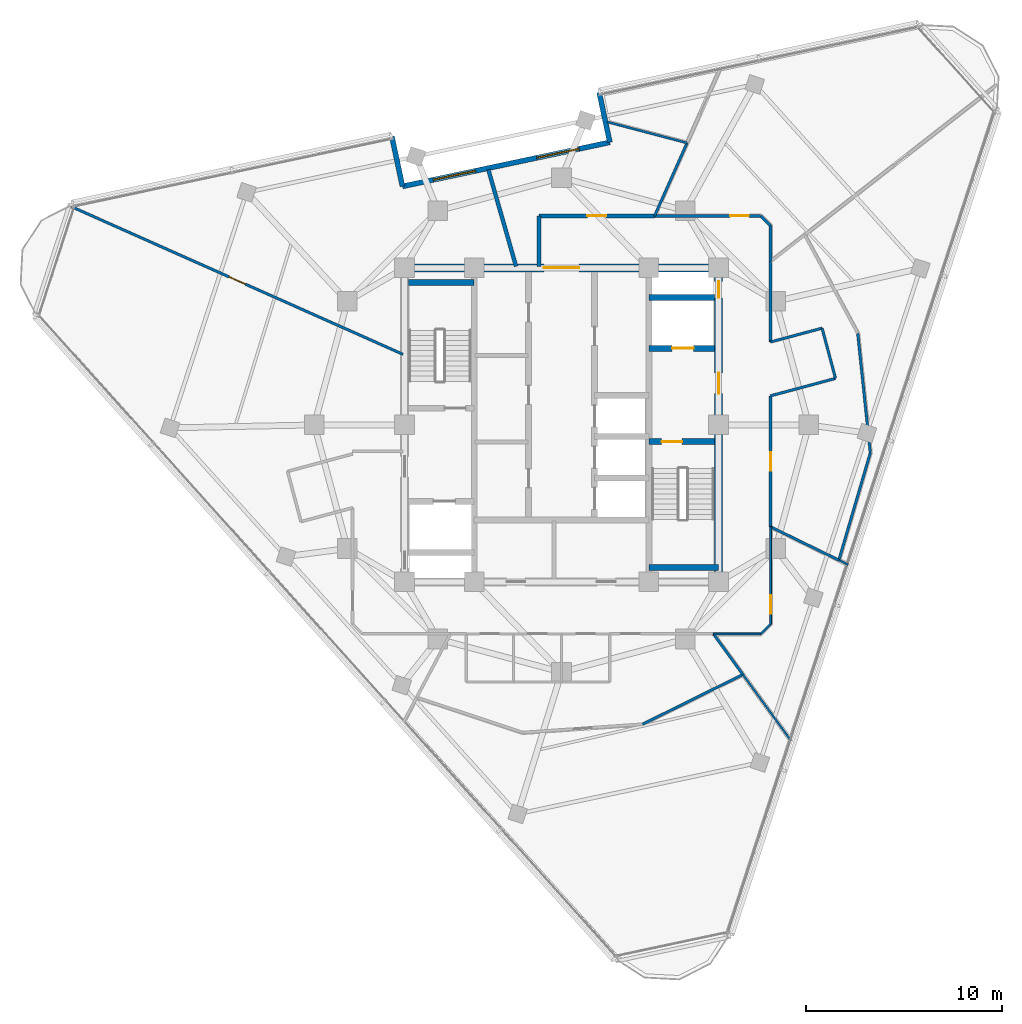
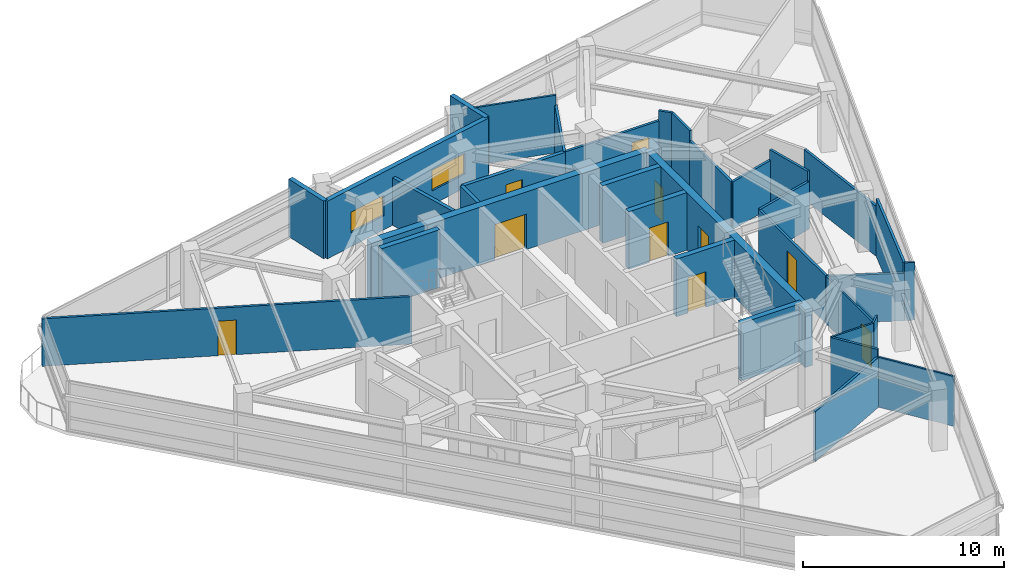
# One storey, part 9 of 15: 34 walls, 10 doors, 2 windows, 12 openings.
"""IFC4 building model written with IfcOpenShell, lengths in metres."""

from ifc_helpers import new_model, si_unit, direction, frame, frame_2d, origin, place, context, subcontext, project, spatial, rectangle, extrude, material, layer, layer_set, type_object, element, fill, save


model = new_model("IFC4")

# Units and contexts
model_context = context("Model", 3, precision=1e-05, world=origin(), true_north=direction((0.0, 1.0)))
body_context = subcontext(model_context, "Body", "Model", "MODEL_VIEW")
ifc_project = project(units=[si_unit("LENGTHUNIT", "METRE"), si_unit("AREAUNIT", "SQUARE_METRE"), si_unit("VOLUMEUNIT", "CUBIC_METRE"), si_unit("PLANEANGLEUNIT", "RADIAN"), si_unit("MASSUNIT", "GRAM", prefix="KILO")], contexts=[model_context])

# Site, building, storey
site_placement = place(None, origin())
site = spatial("IfcSite", under=ifc_project, at=site_placement, CompositionType="ELEMENT")
building_placement = place(site_placement, origin())
building = spatial("IfcBuilding", under=site, at=building_placement, Name="Terralouvre Media Tower", CompositionType="ELEMENT")
storey_placement = place(building_placement, frame((0.0, 0.0, 294.300048828125)))
storey = spatial("IfcBuildingStorey", under=building, at=storey_placement, Name="L76", CompositionType="ELEMENT", Elevation=294.300048828125)

# Wall
ifc_material_1 = material(Name="Concrete C50/60", Category="concrete")
ifc_layer_1 = layer(ifc_material_1, 0.300048828125, Name="Core Internal Shaft Wall CW-300")
ifc_layer_set_1 = layer_set([ifc_layer_1], Name="Concrete C50/60")
wall_type_1 = type_object("IfcWallType", Name="Core Internal Shaft Wall CW-300", PredefinedType="SHEAR", material=ifc_layer_set_1)
wall_1_placement = place(storey_placement, frame((-7.7900390625, 7.260009765625, 0.0), z_axis=(0.0, 0.0, 1.0), x_axis=(1.0, 0.0, 0.0)))
element("IfcWall", 1, at=wall_1_placement, inside=storey, type_object=wall_type_1, Name="L76 Core Shaft Wall ST1F", PredefinedType="SHEAR", context=body_context, shape_type="SweptSolid", body=[
    extrude(rectangle(XDim=3.340087890625, YDim=0.300048828125, at=frame_2d((1.669921875, 0.0))), origin(), (0.0, 0.0, 1.0), 3.5),
])

# Wall, opening, door
wall_2_placement = place(storey_placement, frame((4.449951171875, -0.85009765625, 0.0), z_axis=(0.0, 0.0, 1.0), x_axis=(1.0, 0.0, 0.0)))
wall_2 = element("IfcWall", 2, at=wall_2_placement, inside=storey, type_object=wall_type_1, Name="L76 Core Shaft Wall ST2D", PredefinedType="SHEAR", context=body_context, shape_type="SweptSolid", body=[
    extrude(rectangle(XDim=3.340087890625, YDim=0.300048828125, at=frame_2d((1.669921875, 0.0))), origin(), (0.0, 0.0, 1.0), 3.5),
])
opening_1_placement = place(wall_2_placement, frame((0.64990234375, 0.0, 0.0)))
opening_1 = element("IfcOpeningElement", 3, at=opening_1_placement, cuts=wall_2, Name="Opening FD-01-105X215", PredefinedType="OPENING", context=body_context, shape_type="SweptSolid", body=[
    extrude(rectangle(XDim=1.050048828125, YDim=2.14990234375, at=frame_2d((0.52490234375, 1.074951171875))), frame((0.0, 0.159912109375, 0.0), z_axis=(0.0, -1.0, 0.0), x_axis=(1.0, 0.0, 0.0)), (0.0, 0.0, 1.0), 0.320068359375),
])
ifc_material_2 = material(Name="Galvanised steel fire-resisting leaf", Category="steel")
door_type_1 = type_object("IfcDoorType", Name="Stair and Firefighting Lobby Fire Door FD-01 (1050x2150)", OperationType="NOTDEFINED", PredefinedType="DOOR", material=ifc_material_2)
door_1_placement = place(opening_1_placement, origin())
door_1 = element("IfcDoor", 4, at=door_1_placement, inside=storey, type_object=door_type_1, Name="L76 ST-02 Exit Stair Door", OperationType="SINGLE_SWING_RIGHT", OverallHeight=2.14990234375, OverallWidth=1.050048828125, PredefinedType="DOOR", context=body_context, shape_type="SweptSolid", body=[
    extrude(rectangle(XDim=1.050048828125, YDim=2.14990234375, at=frame_2d((0.52490234375, 1.074951171875))), frame((0.0, 0.02490234375, 0.0), z_axis=(0.0, -1.0, 0.0), x_axis=(1.0, 0.0, 0.0)), (0.0, 0.0, 1.0), 0.050048828125),
])
fill(opening_1, door_1)

# Wall
wall_3_placement = place(storey_placement, frame((4.449951171875, -7.260009765625, 0.0), z_axis=(0.0, 0.0, 1.0), x_axis=(1.0, 0.0, 0.0)))
element("IfcWall", 5, at=wall_3_placement, inside=storey, type_object=wall_type_1, Name="L76 Core Shaft Wall ST2F", PredefinedType="SHEAR", context=body_context, shape_type="SweptSolid", body=[
    extrude(rectangle(XDim=3.550048828125, YDim=0.300048828125, at=frame_2d((1.77490234375, 0.0))), origin(), (0.0, 0.0, 1.0), 3.5),
])

# Wall, opening, door
wall_4_placement = place(storey_placement, frame((4.449951171875, 3.89990234375, 0.0), z_axis=(0.0, 0.0, 1.0), x_axis=(1.0, 0.0, 0.0)))
wall_4 = element("IfcWall", 6, at=wall_4_placement, inside=storey, type_object=wall_type_1, Name="L76 Core Shaft Wall FF2S", PredefinedType="SHEAR", context=body_context, shape_type="SweptSolid", body=[
    extrude(rectangle(XDim=3.340087890625, YDim=0.300048828125, at=frame_2d((1.669921875, 0.0))), origin(), (0.0, 0.0, 1.0), 3.5),
])
opening_2_placement = place(wall_4_placement, frame((1.179931640625, 0.0, 0.0)))
opening_2 = element("IfcOpeningElement", 7, at=opening_2_placement, cuts=wall_4, Name="Opening LD-FF", PredefinedType="OPENING", context=body_context, shape_type="SweptSolid", body=[
    extrude(rectangle(XDim=1.10009765625, YDim=2.10009765625, at=frame_2d((0.550048828125, 1.050048828125))), frame((0.0, 0.159912109375, 0.0), z_axis=(0.0, -1.0, 0.0), x_axis=(1.0, 0.0, 0.0)), (0.0, 0.0, 1.0), 0.320068359375),
])
ifc_material_3 = material(Name="Stainless steel 316 handrail and balustrade", Category="steel")
door_type_2 = type_object("IfcDoorType", Name="Firefighting Lift Sliding Landing Door LD-FF", OperationType="SLIDING_TO_LEFT", PredefinedType="DOOR", material=ifc_material_3)
door_2_placement = place(opening_2_placement, origin())
door_2 = element("IfcDoor", 8, at=door_2_placement, inside=storey, type_object=door_type_2, Name="L76 Firefighting Lift FFL-02 Landing Door", OperationType="SLIDING_TO_LEFT", OverallHeight=2.10009765625, OverallWidth=1.10009765625, PredefinedType="DOOR", context=body_context, shape_type="SweptSolid", body=[
    extrude(rectangle(XDim=1.10009765625, YDim=2.10009765625, at=frame_2d((0.550048828125, 1.050048828125))), frame((0.0, 0.02490234375, 0.0), z_axis=(0.0, -1.0, 0.0), x_axis=(1.0, 0.0, 0.0)), (0.0, 0.0, 1.0), 0.050048828125),
])
fill(opening_2, door_2)

# Wall
wall_5_placement = place(storey_placement, frame((4.449951171875, 6.5, 0.0), z_axis=(0.0, 0.0, 1.0), x_axis=(1.0, 0.0, 0.0)))
element("IfcWall", 9, at=wall_5_placement, inside=storey, type_object=wall_type_1, Name="L76 Core Shaft Wall FF2N", PredefinedType="SHEAR", context=body_context, shape_type="SweptSolid", body=[
    extrude(rectangle(XDim=3.340087890625, YDim=0.300048828125, at=frame_2d((1.669921875, 0.0))), origin(), (0.0, 0.0, 1.0), 3.5),
])

# Wall, openings, doors
ifc_material_4 = material(Name="Concrete C60/75", Category="concrete")
ifc_layer_2 = layer(ifc_material_4, 0.419921875, Name="Core Reinforced Concrete Shear Wall CW-420")
ifc_layer_set_2 = layer_set([ifc_layer_2], Name="Concrete C60/75")
wall_type_2 = type_object("IfcWallType", Name="Core Reinforced Concrete Shear Wall CW-420", PredefinedType="SHEAR", material=ifc_layer_set_2)
wall_6_placement = place(storey_placement, frame((8.0, -8.0, 0.0), z_axis=(0.0, 0.0, 1.0), x_axis=(0.0, 1.0, 0.0)))
wall_6 = element("IfcWall", 10, at=wall_6_placement, inside=storey, type_object=wall_type_2, Name="L76 E Core Shear Wall", PredefinedType="SHEAR", context=body_context, shape_type="SweptSolid", body=[
    extrude(rectangle(XDim=16.0, YDim=0.419921875, at=frame_2d((8.0, 0.0))), origin(), (0.0, 0.0, 1.0), 3.5),
])
opening_3_placement = place(wall_6_placement, frame((9.60009765625, 0.0, 0.0)))
opening_3 = element("IfcOpeningElement", 11, at=opening_3_placement, cuts=wall_6, Name="Opening FD-01-105X215", PredefinedType="OPENING", context=body_context, shape_type="SweptSolid", body=[
    extrude(rectangle(XDim=1.050048828125, YDim=2.14990234375, at=frame_2d((0.52490234375, 1.074951171875))), frame((0.0, 0.219970703125, 0.0), z_axis=(0.0, -1.0, 0.0), x_axis=(1.0, 0.0, 0.0)), (0.0, 0.0, 1.0), 0.43994140625),
])
opening_4_placement = place(wall_6_placement, frame((14.468994140625, 0.0, 0.0)))
opening_4 = element("IfcOpeningElement", 12, at=opening_4_placement, cuts=wall_6, Name="Opening TD-R1", PredefinedType="OPENING", context=body_context, shape_type="SweptSolid", body=[
    extrude(rectangle(XDim=0.85009765625, YDim=2.02001953125, at=frame_2d((0.425048828125, 1.010009765625))), frame((0.0, 0.219970703125, 0.0), z_axis=(0.0, -1.0, 0.0), x_axis=(1.0, 0.0, 0.0)), (0.0, 0.0, 1.0), 0.43994140625),
])
ifc_material_5 = material(Name="Galvanised steel fire-resisting leaf", Category="steel")
door_type_3 = type_object("IfcDoorType", Name="Riser Inspection Access Trapdoor TD-R1", OperationType="NOTDEFINED", PredefinedType="TRAPDOOR", material=ifc_material_5)
door_3_placement = place(opening_4_placement, origin())
door_3 = element("IfcDoor", 13, at=door_3_placement, inside=storey, type_object=door_type_3, Name="L76 East Comms Riser Access Trapdoor", OperationType="SINGLE_SWING_RIGHT", OverallHeight=2.02001953125, OverallWidth=0.85009765625, PredefinedType="TRAPDOOR", context=body_context, shape_type="SweptSolid", body=[
    extrude(rectangle(XDim=0.85009765625, YDim=2.02001953125, at=frame_2d((0.425048828125, 1.010009765625))), frame((0.0, 0.02490234375, 0.0), z_axis=(0.0, -1.0, 0.0), x_axis=(1.0, 0.0, 0.0)), (0.0, 0.0, 1.0), 0.050048828125),
])
fill(opening_4, door_3)
door_4_placement = place(opening_3_placement, origin())
door_4 = element("IfcDoor", 14, at=door_4_placement, inside=storey, type_object=door_type_1, Name="L76 East Firefighting Lobby Entry Door", OperationType="SINGLE_SWING_LEFT", OverallHeight=2.14990234375, OverallWidth=1.050048828125, PredefinedType="DOOR", context=body_context, shape_type="SweptSolid", body=[
    extrude(rectangle(XDim=1.050048828125, YDim=2.14990234375, at=frame_2d((0.52490234375, 1.074951171875))), frame((0.0, 0.02490234375, 0.0), z_axis=(0.0, -1.0, 0.0), x_axis=(1.0, 0.0, 0.0)), (0.0, 0.0, 1.0), 0.050048828125),
])
fill(opening_3, door_4)

# Wall, opening, door
wall_7_placement = place(storey_placement, frame((-8.0, 8.0, 0.0), z_axis=(0.0, 0.0, 1.0), x_axis=(1.0, 0.0, 0.0)))
wall_7 = element("IfcWall", 15, at=wall_7_placement, inside=storey, type_object=wall_type_2, Name="L76 N Core Shear Wall", PredefinedType="SHEAR", context=body_context, shape_type="SweptSolid", body=[
    extrude(rectangle(XDim=16.0, YDim=0.419921875, at=frame_2d((8.0, 0.0))), origin(), (0.0, 0.0, 1.0), 3.5),
])
opening_5_placement = place(wall_7_placement, frame((7.10009765625, 0.0, 0.0)))
opening_5 = element("IfcOpeningElement", 16, at=opening_5_placement, cuts=wall_7, Name="Opening FD-03", PredefinedType="OPENING", context=body_context, shape_type="SweptSolid", body=[
    extrude(rectangle(XDim=1.800048828125, YDim=2.14990234375, at=frame_2d((0.89990234375, 1.074951171875))), frame((0.0, 0.219970703125, 0.0), z_axis=(0.0, -1.0, 0.0), x_axis=(1.0, 0.0, 0.0)), (0.0, 0.0, 1.0), 0.43994140625),
])
ifc_material_6 = material(Name="Galvanised steel fire-resisting leaf", Category="steel")
door_type_4 = type_object("IfcDoorType", Name="Corridor Smoke-Control Double Door FD-03", OperationType="DOUBLE_DOOR_SINGLE_SWING", PredefinedType="DOOR", material=ifc_material_6)
door_5_placement = place(opening_5_placement, origin())
door_5 = element("IfcDoor", 17, at=door_5_placement, inside=storey, type_object=door_type_4, Name="L76 Central Lift Lobby Portal Door", OperationType="DOUBLE_DOOR_SINGLE_SWING", OverallHeight=2.14990234375, OverallWidth=1.800048828125, PredefinedType="DOOR", context=body_context, shape_type="SweptSolid", body=[
    extrude(rectangle(XDim=1.800048828125, YDim=2.14990234375, at=frame_2d((0.89990234375, 1.074951171875))), frame((0.0, 0.02490234375, 0.0), z_axis=(0.0, -1.0, 0.0), x_axis=(1.0, 0.0, 0.0)), (0.0, 0.0, 1.0), 0.050048828125),
])
fill(opening_5, door_5)

# Walls
ifc_material_7 = material(Name="Low-iron laminated double glazing with solar-control coating", Category="glass")
ifc_layer_3 = layer(ifc_material_7, 0.10009765625, Name="Demountable Glazed Office Partition PT-GL100")
ifc_layer_set_3 = layer_set([ifc_layer_3], Name="Low-iron laminated double glazing with solar-control coating")
wall_type_3 = type_object("IfcWallType", Name="Demountable Glazed Office Partition PT-GL100", PredefinedType="MOVABLE", material=ifc_layer_set_3)
wall_8_placement = place(storey_placement, frame((7.738037109375, -10.64990234375, 0.0), z_axis=(0.0, 0.0, 1.0), x_axis=(1.0, 0.0, 0.0)))
element("IfcWall", 18, at=wall_8_placement, inside=storey, type_object=wall_type_3, Name="L76 Interior Partition 018", PredefinedType="MOVABLE", context=body_context, shape_type="SweptSolid", body=[
    extrude(rectangle(XDim=2.411865234375, YDim=0.10009765625, at=frame_2d((1.2060546875, 0.0))), origin(), (0.0, 0.0, 1.0), 3.5),
])
wall_9_placement = place(storey_placement, frame((10.14990234375, -10.64990234375, 0.0), z_axis=(0.0, 0.0, 1.0), x_axis=(0.707106781187, 0.707106781187, 0.0)))
element("IfcWall", 19, at=wall_9_placement, inside=storey, type_object=wall_type_3, Name="L76 Interior Partition 019", PredefinedType="MOVABLE", context=body_context, shape_type="SweptSolid", body=[
    extrude(rectangle(XDim=0.70703125, YDim=0.10009765625, at=frame_2d((0.353515625, 0.0))), origin(), (0.0, 0.0, 1.0), 3.5),
])

# Wall, opening, door
wall_10_placement = place(storey_placement, frame((10.64990234375, -10.14990234375, 0.0), z_axis=(0.0, 0.0, 1.0), x_axis=(0.0, 1.0, 0.0)))
wall_10 = element("IfcWall", 20, at=wall_10_placement, inside=storey, type_object=wall_type_3, Name="L76 Interior Partition 020", PredefinedType="MOVABLE", context=body_context, shape_type="SweptSolid", body=[
    extrude(rectangle(XDim=4.955810546875, YDim=0.10009765625, at=frame_2d((2.47802734375, 0.0))), origin(), (0.0, 0.0, 1.0), 2.885009765625),
])
opening_6_placement = place(wall_10_placement, frame((0.51611328125, 0.0, 0.0)))
opening_6 = element("IfcOpeningElement", 21, at=opening_6_placement, cuts=wall_10, Name="Opening ID-02-95X210", PredefinedType="OPENING", context=body_context, shape_type="SweptSolid", body=[
    extrude(rectangle(XDim=0.949951171875, YDim=2.10009765625, at=frame_2d((0.47509765625, 1.050048828125))), frame((0.0, 0.06005859375, 0.0), z_axis=(0.0, -1.0, 0.0), x_axis=(1.0, 0.0, 0.0)), (0.0, 0.0, 1.0), 0.1201171875),
])
ifc_material_8 = material(Name="Engineered hardwood acoustic timber leaf", Category="wood")
door_type_5 = type_object("IfcDoorType", Name="Office and Meeting Room Door ID-02 (950x2100)", OperationType="NOTDEFINED", PredefinedType="DOOR", material=ifc_material_8)
door_6_placement = place(opening_6_placement, origin())
door_6 = element("IfcDoor", 22, at=door_6_placement, inside=storey, type_object=door_type_5, Name="L76 Design Critique Boardroom 5 Door", OperationType="SINGLE_SWING_RIGHT", OverallHeight=2.10009765625, OverallWidth=0.949951171875, PredefinedType="DOOR", context=body_context, shape_type="SweptSolid", body=[
    extrude(rectangle(XDim=0.949951171875, YDim=2.10009765625, at=frame_2d((0.47509765625, 1.050048828125))), frame((0.0, 0.02490234375, 0.0), z_axis=(0.0, -1.0, 0.0), x_axis=(1.0, 0.0, 0.0)), (0.0, 0.0, 1.0), 0.050048828125),
])
fill(opening_6, door_6)

# Walls
wall_11_placement = place(storey_placement, frame((11.69482421875, -16.095703125, 0.0), z_axis=(0.0, 0.0, 1.0), x_axis=(-0.587938546927, 0.808905597111, 0.0)))
element("IfcWall", 23, at=wall_11_placement, inside=storey, type_object=wall_type_3, Name="L76 Interior Partition 045", PredefinedType="MOVABLE", context=body_context, shape_type="SweptSolid", body=[
    extrude(rectangle(XDim=4.172119140625, YDim=0.10009765625, at=frame_2d((2.0859375, 0.0))), origin(), (0.0, 0.0, 1.0), 3.034912109375),
])
wall_12_placement = place(storey_placement, frame((14.609375, -7.125732421875, 0.0), z_axis=(0.0, 0.0, 1.0), x_axis=(-0.898533726223, 0.438904480313, 0.0)))
element("IfcWall", 24, at=wall_12_placement, inside=storey, type_object=wall_type_3, Name="L76 Interior Partition 046", PredefinedType="MOVABLE", context=body_context, shape_type="SweptSolid", body=[
    extrude(rectangle(XDim=0.530029296875, YDim=0.10009765625, at=frame_2d((0.26513671875, 0.0))), origin(), (0.0, 0.0, 1.0), 3.5),
])

# Wall, opening, door
ifc_material_9 = material(Name="Fire-rated gypsum board drywall partition")
ifc_layer_4 = layer(ifc_material_9, 0.199951171875, Name="Fire-Rated Shaft and Lobby Partition FW-200")
ifc_layer_set_4 = layer_set([ifc_layer_4], Name="Fire-rated gypsum board drywall partition")
wall_type_4 = type_object("IfcWallType", Name="Fire-Rated Shaft and Lobby Partition FW-200", PredefinedType="SOLIDWALL", material=ifc_layer_set_4)
wall_13_placement = place(storey_placement, frame((4.741943359375, 10.64990234375, 0.0), z_axis=(0.0, 0.0, 1.0), x_axis=(-1.0, 0.0, 0.0)))
wall_13 = element("IfcWall", 25, at=wall_13_placement, inside=storey, type_object=wall_type_4, Name="L76 Interior Partition 024", PredefinedType="SOLIDWALL", context=body_context, shape_type="SweptSolid", body=[
    extrude(rectangle(XDim=5.891845703125, YDim=0.199951171875, at=frame_2d((2.94580078125, 0.0))), origin(), (0.0, 0.0, 1.0), 2.885009765625),
])
opening_7_placement = place(wall_13_placement, frame((2.470947265625, 0.0, 0.0)))
opening_7 = element("IfcOpeningElement", 26, at=opening_7_placement, cuts=wall_13, Name="Opening FD-02-95X210", PredefinedType="OPENING", context=body_context, shape_type="SweptSolid", body=[
    extrude(rectangle(XDim=0.949951171875, YDim=2.10009765625, at=frame_2d((0.47509765625, 1.050048828125))), frame((0.0, 0.10986328125, 0.0), z_axis=(0.0, -1.0, 0.0), x_axis=(1.0, 0.0, 0.0)), (0.0, 0.0, 1.0), 0.219970703125),
])
ifc_material_10 = material(Name="Galvanised steel fire-resisting leaf", Category="steel")
door_type_6 = type_object("IfcDoorType", Name="Plant and Riser Fire Door FD-02 (950x2100)", OperationType="NOTDEFINED", PredefinedType="DOOR", material=ifc_material_10)
door_7_placement = place(opening_7_placement, origin())
door_7 = element("IfcDoor", 27, at=door_7_placement, inside=storey, type_object=door_type_6, Name="L76 Render Cluster Server Room 9 Door", OperationType="SINGLE_SWING_RIGHT", OverallHeight=2.10009765625, OverallWidth=0.949951171875, PredefinedType="DOOR", context=body_context, shape_type="SweptSolid", body=[
    extrude(rectangle(XDim=0.949951171875, YDim=2.10009765625, at=frame_2d((0.47509765625, 1.050048828125))), frame((0.0, 0.02490234375, 0.0), z_axis=(0.0, -1.0, 0.0), x_axis=(1.0, 0.0, 0.0)), (0.0, 0.0, 1.0), 0.050048828125),
])
fill(opening_7, door_7)

# Walls
wall_14_placement = place(storey_placement, frame((-1.14990234375, 10.64990234375, 0.0), z_axis=(0.0, 0.0, 1.0), x_axis=(0.0, -1.0, 0.0)))
element("IfcWall", 28, at=wall_14_placement, inside=storey, type_object=wall_type_4, Name="L76 Interior Partition 025", PredefinedType="SOLIDWALL", context=body_context, shape_type="SweptSolid", body=[
    extrude(rectangle(XDim=2.56982421875, YDim=0.199951171875, at=frame_2d((1.284912109375, 0.0))), origin(), (0.0, 0.0, 1.0), 2.885009765625),
])
wall_15_placement = place(storey_placement, frame((-3.72900390625, 13.005126953125, 0.0), z_axis=(0.0, 0.0, 1.0), x_axis=(0.275658725111, -0.961255568135, 0.0)))
element("IfcWall", 29, at=wall_15_placement, inside=storey, type_object=wall_type_4, Name="L76 Interior Partition 051", PredefinedType="SOLIDWALL", context=body_context, shape_type="SweptSolid", body=[
    extrude(rectangle(XDim=5.12353515625, YDim=0.199951171875, at=frame_2d((2.561767578125, 0.0))), origin(), (0.0, 0.0, 1.0), 2.885009765625),
])

# Wall, opening, door
ifc_material_11 = material(Name="Fire-rated gypsum board drywall partition")
ifc_layer_5 = layer(ifc_material_11, 0.135009765625, Name="Newsroom Acoustic Partition PT-135")
ifc_layer_set_5 = layer_set([ifc_layer_5], Name="Fire-rated gypsum board drywall partition")
wall_type_5 = type_object("IfcWallType", Name="Newsroom Acoustic Partition PT-135", PredefinedType="PARTITIONING", material=ifc_layer_set_5)
wall_16_placement = place(storey_placement, frame((10.64990234375, -5.194091796875, 0.0), z_axis=(0.0, 0.0, 1.0), x_axis=(0.0, 1.0, 0.0)))
wall_16 = element("IfcWall", 30, at=wall_16_placement, inside=storey, type_object=wall_type_5, Name="L76 Interior Partition 008", PredefinedType="PARTITIONING", context=body_context, shape_type="SweptSolid", body=[
    extrude(rectangle(XDim=6.676025390625, YDim=0.135009765625, at=frame_2d((3.337890625, 0.0))), origin(), (0.0, 0.0, 1.0), 2.885009765625),
])
opening_8_placement = place(wall_16_placement, frame((2.863037109375, 0.0, 0.0)))
opening_8 = element("IfcOpeningElement", 31, at=opening_8_placement, cuts=wall_16, Name="Opening ID-02-95X210", PredefinedType="OPENING", context=body_context, shape_type="SweptSolid", body=[
    extrude(rectangle(XDim=0.949951171875, YDim=2.10009765625, at=frame_2d((0.47509765625, 1.050048828125))), frame((0.0, 0.077392578125, 0.0), z_axis=(0.0, -1.0, 0.0), x_axis=(1.0, 0.0, 0.0)), (0.0, 0.0, 1.0), 0.155029296875),
])
door_8_placement = place(opening_8_placement, origin())
door_8 = element("IfcDoor", 32, at=door_8_placement, inside=storey, type_object=door_type_5, Name="L76 Interactive Graphics Open Office 2 Door", OperationType="SINGLE_SWING_LEFT", OverallHeight=2.10009765625, OverallWidth=0.949951171875, PredefinedType="DOOR", context=body_context, shape_type="SweptSolid", body=[
    extrude(rectangle(XDim=0.949951171875, YDim=2.10009765625, at=frame_2d((0.47509765625, 1.050048828125))), frame((0.0, 0.02490234375, 0.0), z_axis=(0.0, -1.0, 0.0), x_axis=(1.0, 0.0, 0.0)), (0.0, 0.0, 1.0), 0.050048828125),
])
fill(opening_8, door_8)

# Walls
wall_17_placement = place(storey_placement, frame((10.64990234375, 1.48193359375, 0.0), z_axis=(0.0, 0.0, 1.0), x_axis=(0.965961397105, 0.2586862565, 0.0)))
element("IfcWall", 33, at=wall_17_placement, inside=storey, type_object=wall_type_5, Name="L76 Interior Partition 009", PredefinedType="PARTITIONING", context=body_context, shape_type="SweptSolid", body=[
    extrude(rectangle(XDim=3.4287109375, YDim=0.135009765625, at=frame_2d((1.71435546875, 0.0))), origin(), (0.0, 0.0, 1.0), 2.885009765625),
])
wall_18_placement = place(storey_placement, frame((13.9619140625, 2.368896484375, 0.0), z_axis=(0.0, 0.0, 1.0), x_axis=(-0.258413725385, 0.966034340245, 0.0)))
element("IfcWall", 34, at=wall_18_placement, inside=storey, type_object=wall_type_5, Name="L76 Interior Partition 010", PredefinedType="PARTITIONING", context=body_context, shape_type="SweptSolid", body=[
    extrude(rectangle(XDim=2.650146484375, YDim=0.135009765625, at=frame_2d((1.3251953125, 0.0))), origin(), (0.0, 0.0, 1.0), 3.5),
])
wall_19_placement = place(storey_placement, frame((13.277099609375, 4.928955078125, 0.0), z_axis=(0.0, 0.0, 1.0), x_axis=(-0.965934830229, -0.258785439601, 0.0)))
element("IfcWall", 35, at=wall_19_placement, inside=storey, type_object=wall_type_5, Name="L76 Interior Partition 011", PredefinedType="PARTITIONING", context=body_context, shape_type="SweptSolid", body=[
    extrude(rectangle(XDim=2.719970703125, YDim=0.135009765625, at=frame_2d((1.35986328125, 0.0))), origin(), (0.0, 0.0, 1.0), 2.885009765625),
])
wall_20_placement = place(storey_placement, frame((10.64990234375, 4.22509765625, 0.0), z_axis=(0.0, 0.0, 1.0), x_axis=(0.0, 1.0, 0.0)))
element("IfcWall", 36, at=wall_20_placement, inside=storey, type_object=wall_type_5, Name="L76 Interior Partition 012", PredefinedType="PARTITIONING", context=body_context, shape_type="SweptSolid", body=[
    extrude(rectangle(XDim=4.095947265625, YDim=0.135009765625, at=frame_2d((2.0478515625, 0.0))), origin(), (0.0, 0.0, 1.0), 2.885009765625),
])
wall_21_placement = place(storey_placement, frame((10.64990234375, 8.321044921875, 0.0), z_axis=(0.0, 0.0, 1.0), x_axis=(0.0, 1.0, 0.0)))
element("IfcWall", 37, at=wall_21_placement, inside=storey, type_object=wall_type_5, Name="L76 Interior Partition 021", PredefinedType="PARTITIONING", context=body_context, shape_type="SweptSolid", body=[
    extrude(rectangle(XDim=1.828857421875, YDim=0.135009765625, at=frame_2d((0.91455078125, 0.0))), origin(), (0.0, 0.0, 1.0), 3.5),
])
wall_22_placement = place(storey_placement, frame((10.64990234375, 10.14990234375, 0.0), z_axis=(0.0, 0.0, 1.0), x_axis=(-0.707106781187, 0.707106781187, 0.0)))
element("IfcWall", 38, at=wall_22_placement, inside=storey, type_object=wall_type_5, Name="L76 Interior Partition 022", PredefinedType="PARTITIONING", context=body_context, shape_type="SweptSolid", body=[
    extrude(rectangle(XDim=0.70703125, YDim=0.135009765625, at=frame_2d((0.353515625, 0.0))), origin(), (0.0, 0.0, 1.0), 3.5),
])

# Wall, opening, door
wall_23_placement = place(storey_placement, frame((10.14990234375, 10.64990234375, 0.0), z_axis=(0.0, 0.0, 1.0), x_axis=(-1.0, 0.0, 0.0)))
wall_23 = element("IfcWall", 39, at=wall_23_placement, inside=storey, type_object=wall_type_5, Name="L76 Interior Partition 023", PredefinedType="PARTITIONING", context=body_context, shape_type="SweptSolid", body=[
    extrude(rectangle(XDim=5.407958984375, YDim=0.135009765625, at=frame_2d((2.7041015625, 0.0))), origin(), (0.0, 0.0, 1.0), 2.885009765625),
])
opening_9_placement = place(wall_23_placement, frame((0.606689453125, 0.0, 0.0)))
opening_9 = element("IfcOpeningElement", 40, at=opening_9_placement, cuts=wall_23, Name="Opening ID-02-95X210", PredefinedType="OPENING", context=body_context, shape_type="SweptSolid", body=[
    extrude(rectangle(XDim=0.949951171875, YDim=2.10009765625, at=frame_2d((0.47509765625, 1.050048828125))), frame((0.0, 0.077392578125, 0.0), z_axis=(0.0, -1.0, 0.0), x_axis=(1.0, 0.0, 0.0)), (0.0, 0.0, 1.0), 0.155029296875),
])
door_9_placement = place(opening_9_placement, origin())
door_9 = element("IfcDoor", 41, at=door_9_placement, inside=storey, type_object=door_type_5, Name="L76 Staff Quiet Reading Club 7 Door", OperationType="SINGLE_SWING_LEFT", OverallHeight=2.10009765625, OverallWidth=0.949951171875, PredefinedType="DOOR", context=body_context, shape_type="SweptSolid", body=[
    extrude(rectangle(XDim=0.949951171875, YDim=2.10009765625, at=frame_2d((0.47509765625, 1.050048828125))), frame((0.0, 0.02490234375, 0.0), z_axis=(0.0, -1.0, 0.0), x_axis=(1.0, 0.0, 0.0)), (0.0, 0.0, 1.0), 0.050048828125),
])
fill(opening_9, door_9)

wall_24_placement = place(storey_placement, frame((-8.080078125, 3.59716796875, 0.0), z_axis=(0.0, 0.0, 1.0), x_axis=(-0.913542590258, 0.406743083266, 0.0)))
wall_24 = element("IfcWall", 42, at=wall_24_placement, inside=storey, type_object=wall_type_5, Name="L76 Interior Partition 028", PredefinedType="PARTITIONING", context=body_context, shape_type="SweptSolid", body=[
    extrude(rectangle(XDim=18.505126953125, YDim=0.135009765625, at=frame_2d((9.25244140625, 0.0))), origin(), (0.0, 0.0, 1.0), 2.885009765625),
])
opening_10_placement = place(wall_24_placement, frame((8.79248046875, 0.0, 0.0)))
opening_10 = element("IfcOpeningElement", 43, at=opening_10_placement, cuts=wall_24, Name="Opening ID-03-92X210", PredefinedType="OPENING", context=body_context, shape_type="SweptSolid", body=[
    extrude(rectangle(XDim=0.919921875, YDim=2.10009765625, at=frame_2d((0.4599609375, 1.050048828125))), frame((0.0, 0.077392578125, 0.0), z_axis=(0.0, -1.0, 0.0), x_axis=(1.0, 0.0, 0.0)), (0.0, 0.0, 1.0), 0.155029296875),
])
ifc_material_12 = material(Name="Engineered hardwood acoustic timber leaf", Category="wood")
door_type_7 = type_object("IfcDoorType", Name="Accessible Restroom and Suite Door ID-03 (920x2100)", OperationType="NOTDEFINED", PredefinedType="DOOR", material=ifc_material_12)
door_10_placement = place(opening_10_placement, origin())
door_10 = element("IfcDoor", 44, at=door_10_placement, inside=storey, type_object=door_type_7, Name="L76 Hardware Prototype Storage 10 Door", OperationType="SINGLE_SWING_RIGHT", OverallHeight=2.10009765625, OverallWidth=0.919921875, PredefinedType="DOOR", context=body_context, shape_type="SweptSolid", body=[
    extrude(rectangle(XDim=0.919921875, YDim=2.10009765625, at=frame_2d((0.4599609375, 1.050048828125))), frame((0.0, 0.02490234375, 0.0), z_axis=(0.0, -1.0, 0.0), x_axis=(1.0, 0.0, 0.0)), (0.0, 0.0, 1.0), 0.050048828125),
])
fill(opening_10, door_10)

# Walls
wall_25_placement = place(storey_placement, frame((10.64990234375, -5.194091796875, 0.0), z_axis=(0.0, 0.0, 1.0), x_axis=(0.898781159743, -0.438397567159, 0.0)))
element("IfcWall", 45, at=wall_25_placement, inside=storey, type_object=wall_type_5, Name="L76 Interior Partition 029", PredefinedType="PARTITIONING", context=body_context, shape_type="SweptSolid", body=[
    extrude(rectangle(XDim=3.87548828125, YDim=0.135009765625, at=frame_2d((1.937744140625, 0.0))), origin(), (0.0, 0.0, 1.0), 2.885009765625),
])
wall_26_placement = place(storey_placement, frame((14.133056640625, -6.89306640625, 0.0), z_axis=(0.0, 0.0, 1.0), x_axis=(0.281231672123, 0.959639904649, 0.0)))
element("IfcWall", 46, at=wall_26_placement, inside=storey, type_object=wall_type_5, Name="L76 Interior Partition 030", PredefinedType="PARTITIONING", context=body_context, shape_type="SweptSolid", body=[
    extrude(rectangle(XDim=5.699951171875, YDim=0.135009765625, at=frame_2d((2.85009765625, 0.0))), origin(), (0.0, 0.0, 1.0), 3.5),
])
wall_27_placement = place(storey_placement, frame((15.736083984375, -1.423095703125, 0.0), z_axis=(0.0, 0.0, 1.0), x_axis=(-0.104601717472, 0.994514193313, 0.0)))
element("IfcWall", 47, at=wall_27_placement, inside=storey, type_object=wall_type_5, Name="L76 Interior Partition 031", PredefinedType="PARTITIONING", context=body_context, shape_type="SweptSolid", body=[
    extrude(rectangle(XDim=6.119873046875, YDim=0.135009765625, at=frame_2d((3.06005859375, 0.0))), origin(), (0.0, 0.0, 1.0), 3.034912109375),
])
wall_28_placement = place(storey_placement, frame((4.134033203125, -15.25, 0.0), z_axis=(0.0, 0.0, 1.0), x_axis=(0.896167979159, 0.443714945804, 0.0)))
element("IfcWall", 48, at=wall_28_placement, inside=storey, type_object=wall_type_5, Name="L76 Interior Partition 043", PredefinedType="PARTITIONING", context=body_context, shape_type="SweptSolid", body=[
    extrude(rectangle(XDim=5.69970703125, YDim=0.135009765625, at=frame_2d((2.849853515625, 0.0))), origin(), (0.0, 0.0, 1.0), 3.034912109375),
])
wall_29_placement = place(storey_placement, frame((9.241943359375, -12.720947265625, 0.0), z_axis=(0.0, 0.0, 1.0), x_axis=(-0.58758169089, 0.80916485127, 0.0)))
element("IfcWall", 49, at=wall_29_placement, inside=storey, type_object=wall_type_5, Name="L76 Interior Partition 044", PredefinedType="PARTITIONING", context=body_context, shape_type="SweptSolid", body=[
    extrude(rectangle(XDim=2.5595703125, YDim=0.135009765625, at=frame_2d((1.27978515625, 0.0))), origin(), (0.0, 0.0, 1.0), 3.5),
])
wall_30_placement = place(storey_placement, frame((6.39697265625, 14.367919921875, 0.0), z_axis=(0.0, 0.0, 1.0), x_axis=(-0.406667169341, -0.913576386177, 0.0)))
element("IfcWall", 50, at=wall_30_placement, inside=storey, type_object=wall_type_5, Name="L76 Interior Partition 049", PredefinedType="PARTITIONING", context=body_context, shape_type="SweptSolid", body=[
    extrude(rectangle(XDim=4.06982421875, YDim=0.135009765625, at=frame_2d((2.034912109375, 0.0))), origin(), (0.0, 0.0, 1.0), 2.885009765625),
])

# Wall, openings, windows
ifc_material_13 = material(Name="Kiln-fired architectural terracotta rainscreen cladding", Category="masonry")
ifc_layer_6 = layer(ifc_material_13, 0.260009765625, Name="Recessed Sky-Garden Acoustic Wall EW-SG260")
ifc_layer_set_6 = layer_set([ifc_layer_6], Name="Kiln-fired architectural terracotta rainscreen cladding")
wall_type_6 = type_object("IfcWallType", Name="Recessed Sky-Garden Acoustic Wall EW-SG260", PredefinedType="SOLIDWALL", material=ifc_layer_set_6)
wall_31_placement = place(storey_placement, frame((2.459228515625, 14.40234375, 0.0), z_axis=(0.0, 0.0, 1.0), x_axis=(-0.978149082982, -0.207904717268, 0.0)))
wall_31 = element("IfcWall", 51, at=wall_31_placement, inside=storey, type_object=wall_type_6, Name="L76 WP Recessed Loggia Back Wall", PredefinedType="SOLIDWALL", context=body_context, shape_type="SweptSolid", body=[
    extrude(rectangle(XDim=10.800048828125, YDim=0.260009765625, at=frame_2d((5.39990234375, 0.0))), origin(), (0.0, 0.0, 1.0), 3.5),
])
opening_11_placement = place(wall_31_placement, frame((1.60009765625, 0.0, 0.85009765625)))
opening_11 = element("IfcOpeningElement", 52, at=opening_11_placement, cuts=wall_31, Name="Opening W-04", PredefinedType="OPENING", context=body_context, shape_type="SweptSolid", body=[
    extrude(rectangle(XDim=2.199951171875, YDim=1.25, at=frame_2d((1.10009765625, 0.625))), frame((0.0, 0.139892578125, 0.0), z_axis=(0.0, -1.0, 0.0), x_axis=(1.0, 0.0, 0.0)), (0.0, 0.0, 1.0), 0.280029296875),
])
opening_12_placement = place(wall_31_placement, frame((7.0, 0.0, 0.85009765625)))
opening_12 = element("IfcOpeningElement", 53, at=opening_12_placement, cuts=wall_31, Name="Opening W-04", PredefinedType="OPENING", context=body_context, shape_type="SweptSolid", body=[
    extrude(rectangle(XDim=2.199951171875, YDim=1.25, at=frame_2d((1.10009765625, 0.625))), frame((0.0, 0.139892578125, 0.0), z_axis=(0.0, -1.0, 0.0), x_axis=(1.0, 0.0, 0.0)), (0.0, 0.0, 1.0), 0.280029296875),
])
ifc_material_14 = material(Name="Low-iron laminated double glazing with solar-control coating", Category="glass")
window_type = type_object("IfcWindowType", Name="Wind-Portal Observation Window W-04", PartitioningType="SINGLE_PANEL", PredefinedType="WINDOW", material=ifc_material_14)
window_1_placement = place(opening_11_placement, origin())
window_1 = element("IfcWindow", 54, at=window_1_placement, inside=storey, type_object=window_type, Name="L76 Pocket Loggia Window 1", OverallHeight=1.25, OverallWidth=2.199951171875, PartitioningType="SINGLE_PANEL", PredefinedType="WINDOW", context=body_context, shape_type="SweptSolid", body=[
    extrude(rectangle(XDim=2.199951171875, YDim=1.25, at=frame_2d((1.10009765625, 0.625))), frame((0.0, 0.030029296875, 0.0), z_axis=(0.0, -1.0, 0.0), x_axis=(1.0, 0.0, 0.0)), (0.0, 0.0, 1.0), 0.06005859375),
])
fill(opening_11, window_1)
window_2_placement = place(opening_12_placement, origin())
window_2 = element("IfcWindow", 55, at=window_2_placement, inside=storey, type_object=window_type, Name="L76 Pocket Loggia Window 2", OverallHeight=1.25, OverallWidth=2.199951171875, PartitioningType="SINGLE_PANEL", PredefinedType="WINDOW", context=body_context, shape_type="SweptSolid", body=[
    extrude(rectangle(XDim=2.199951171875, YDim=1.25, at=frame_2d((1.10009765625, 0.625))), frame((0.0, 0.030029296875, 0.0), z_axis=(0.0, -1.0, 0.0), x_axis=(1.0, 0.0, 0.0)), (0.0, 0.0, 1.0), 0.06005859375),
])
fill(opening_12, window_2)

# Walls
for number, where, z_axis, x_axis, name in (
    (56, (1.918701171875, 16.945556640625, 0.0), (0.0, 0.0, 1.0), (0.207893569688, -0.978151452323, 0.0), "L76 WP Pocket Left Cheek Wall"),
    (57, (-8.104736328125, 12.156982421875, 0.0), (0.0, 0.0, 1.0), (-0.207893569688, 0.978151452323, 0.0), "L76 WP Pocket Right Cheek Wall"),
):
    element("IfcWall", number, at=place(storey_placement, frame(where, z_axis=z_axis, x_axis=x_axis)), inside=storey, type_object=wall_type_6, Name=name, PredefinedType="SOLIDWALL", context=body_context, shape_type="SweptSolid", body=[
        extrude(rectangle(XDim=2.60009765625, YDim=0.260009765625, at=frame_2d((1.300048828125, 0.0))), origin(), (0.0, 0.0, 1.0), 3.5),
    ])
ifc_material_15 = material(Name="Fire-rated gypsum board drywall partition")
ifc_layer_7 = layer(ifc_material_15, 0.114990234375, Name="Restroom and Pantry Partition PT-115")
ifc_layer_set_7 = layer_set([ifc_layer_7], Name="Fire-rated gypsum board drywall partition")
wall_type_7 = type_object("IfcWallType", Name="Restroom and Pantry Partition PT-115", PredefinedType="PARTITIONING", material=ifc_layer_set_7)
wall_32_placement = place(storey_placement, frame((2.3203125, 15.4404296875, 0.0), z_axis=(0.0, 0.0, 1.0), x_axis=(0.967091789993, -0.254427729874, 0.0)))
element("IfcWall", 58, at=wall_32_placement, inside=storey, type_object=wall_type_7, Name="L76 Interior Partition 050", PredefinedType="PARTITIONING", context=body_context, shape_type="SweptSolid", body=[
    extrude(rectangle(XDim=4.21533203125, YDim=0.114990234375, at=frame_2d((2.107666015625, 0.0))), origin(), (0.0, 0.0, 1.0), 3.5),
])

save(model, "model.ifc")
